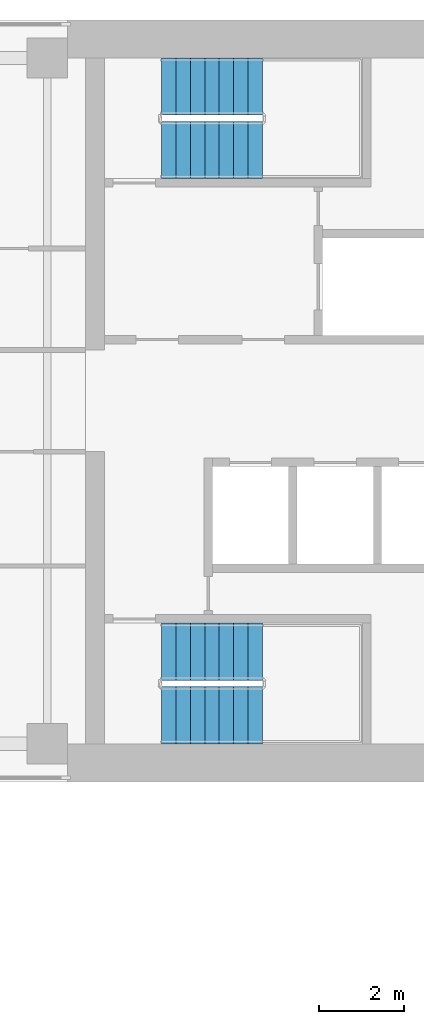
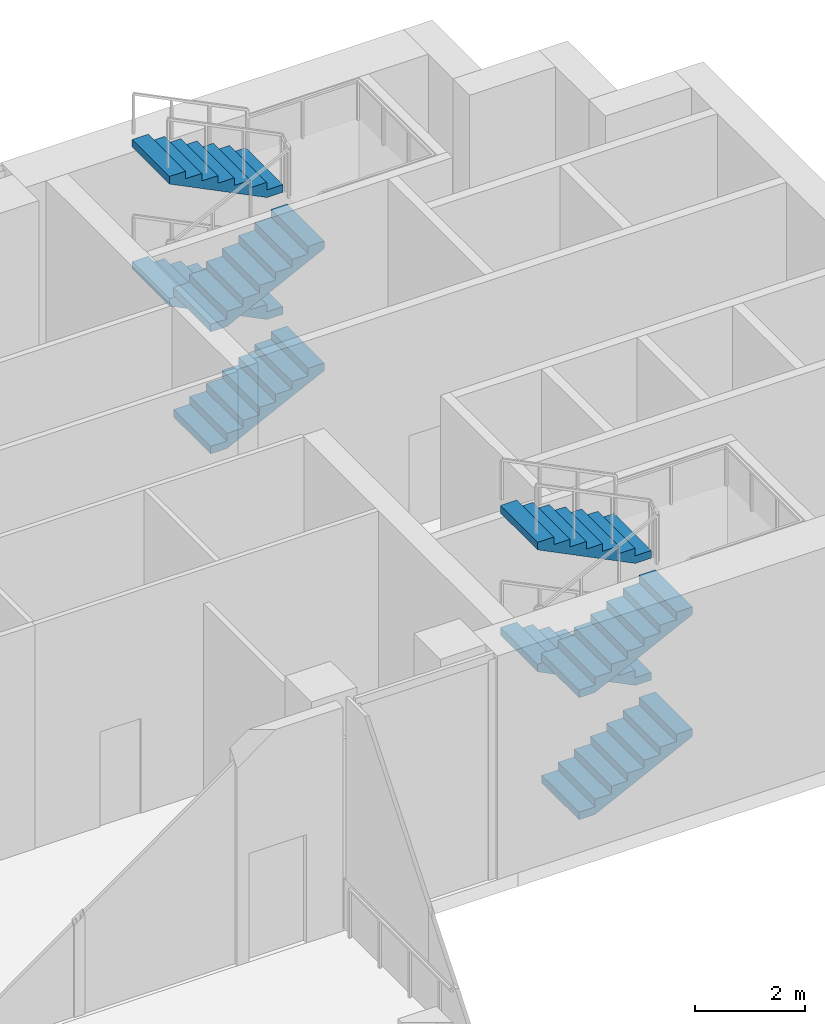
# One storey, part 9 of 12: 8 stair flights, 2 elements without a shape of their own.
"""IFC4 building model written with IfcOpenShell, lengths in metres."""

import ifcopenshell
import ifcopenshell.guid

model = None  # the IFC model being written
_history = None  # IfcOwnerHistory: only IFC2X3 demands one
_inside = {}  # id of a spatial element -> (the spatial element, [elements in it])
_under = {}  # id of a project, library or spatial element -> (it, [spatial elements below it])
_declared = {}  # id of a project -> (the project, [libraries it declares])
_typed = {}  # id of a type object -> (the type object, [elements of that type])
_made_of = {}  # id of a material, layer set ... -> (it, [elements and type objects made of it])


def new_model(schema):
    """Start an empty IFC model of exactly this schema.

    Asked for "IFC4X3", IfcOpenShell would pick the latest addendum, in which some entities
    have other attributes; the version numbers below select the first issue.
    IFC2X3 requires an IfcOwnerHistory on every rooted entity: one is made here for all.
    """
    global model, _history
    if schema == "IFC4X3":
        model = ifcopenshell.file(schema_version=(4, 3, 0, 0))
    else:
        model = ifcopenshell.file(schema=schema)
    _inside.clear()
    _under.clear()
    _declared.clear()
    _typed.clear()
    _made_of.clear()
    _history = None
    if model.schema == "IFC2X3":
        org = make("IfcOrganization", Name="unknown")
        user = make(
            "IfcPersonAndOrganization",
            ThePerson=make("IfcPerson", FamilyName="unknown"),
            TheOrganization=org,
        )
        app = make(
            "IfcApplication",
            ApplicationDeveloper=org,
            Version="unknown",
            ApplicationFullName="unknown",
            ApplicationIdentifier="unknown",
        )
        _history = make(
            "IfcOwnerHistory",
            OwningUser=user,
            OwningApplication=app,
            ChangeAction="ADDED",
            CreationDate=0,
        )
    return model


def make(cls, **values):
    """One entity of the class cls with the attributes given. An attribute that is None is left unset."""
    return model.create_entity(
        cls, **{name: value for name, value in values.items() if value is not None}
    )


def rooted(cls, **values):
    """An entity with a GlobalId (a new one), such as an element, a storey or a relation."""
    return make(cls, GlobalId=ifcopenshell.guid.new(), OwnerHistory=_history, **values)


def si_unit(unit_type, name, prefix=None):
    """IfcSIUnit, for example si_unit("LENGTHUNIT", "METRE", prefix="MILLI")."""
    return make("IfcSIUnit", UnitType=unit_type, Prefix=prefix, Name=name)


def assignment(units):
    """IfcUnitAssignment: the units of a project."""
    return None if units is None else make("IfcUnitAssignment", Units=units)


def point(xyz):
    """IfcCartesianPoint."""
    return None if xyz is None else make("IfcCartesianPoint", Coordinates=xyz)


def direction(xyz):
    """IfcDirection."""
    return None if xyz is None else make("IfcDirection", DirectionRatios=xyz)


def frame(location, z_axis=None, x_axis=None):
    """IfcAxis2Placement3D, a coordinate frame: its origin and axes. An axis left out is left unset."""
    return make(
        "IfcAxis2Placement3D",
        Location=point(location),
        Axis=direction(z_axis),
        RefDirection=direction(x_axis),
    )


def origin():
    """The frame at (0, 0, 0) with its axes left unset."""
    return frame((0.0, 0.0, 0.0))


def place(relative_to, where):
    """IfcLocalPlacement: puts the frame where relative to a parent placement (None: the world)."""
    return make(
        "IfcLocalPlacement", PlacementRelTo=relative_to, RelativePlacement=where
    )


def context(
    kind, dimensions, precision=None, world=None, true_north=None, identifier=None
):
    """IfcGeometricRepresentationContext, for example the 3D "Model" context."""
    return make(
        "IfcGeometricRepresentationContext",
        ContextIdentifier=identifier,
        ContextType=kind,
        CoordinateSpaceDimension=dimensions,
        Precision=precision,
        WorldCoordinateSystem=world,
        TrueNorth=true_north,
    )


def subcontext(parent, identifier, kind, view, scale=None):
    """IfcGeometricRepresentationSubContext, for example "Body" below "Model"."""
    return make(
        "IfcGeometricRepresentationSubContext",
        ContextIdentifier=identifier,
        ContextType=kind,
        ParentContext=parent,
        TargetScale=scale,
        TargetView=view,
    )


def project(units=None, contexts=None):
    """IfcProject with its units and contexts."""
    return rooted(
        "IfcProject",
        Name="project",
        RepresentationContexts=contexts,
        UnitsInContext=assignment(units),
    )


def spatial(cls, under=None, at=None, **own):
    """A site, building, storey or space (cls), placed at a placement, below another one or the project."""
    s = rooted(cls, ObjectPlacement=at, **own)
    if under is not None:
        _under.setdefault(under.id(), (under, []))[1].append(s)
    return s


def polyline(points):
    """IfcPolyline through the points."""
    return make("IfcPolyline", Points=[point(p) for p in points])


def outline(outer, holes=None, kind="AREA"):
    """IfcArbitraryClosedProfileDef: a profile drawn as a closed curve; with holes, ...WithVoids."""
    if holes is None:
        return make("IfcArbitraryClosedProfileDef", ProfileType=kind, OuterCurve=outer)
    return make(
        "IfcArbitraryProfileDefWithVoids",
        ProfileType=kind,
        OuterCurve=outer,
        InnerCurves=holes,
    )


def extrude(swept, where, along, depth):
    """IfcExtrudedAreaSolid: the profile swept, set in the frame where, extruded along a direction by depth."""
    return make(
        "IfcExtrudedAreaSolid",
        SweptArea=swept,
        Position=where,
        ExtrudedDirection=direction(along),
        Depth=depth,
    )


def shape(context_of_items, identifier, shape_type, items):
    """IfcShapeRepresentation: the items that make up one representation, for example the "Body"."""
    return make(
        "IfcShapeRepresentation",
        ContextOfItems=context_of_items,
        RepresentationIdentifier=identifier,
        RepresentationType=shape_type,
        Items=items,
    )


def material(Name=None, Category=None):
    """IfcMaterial."""
    return make("IfcMaterial", Name=Name, Category=Category)


def made_of(thing, what):
    """Note that an element or type object is made of a material, layer set ...; save() writes the relation."""
    if what is not None:
        _made_of.setdefault(what.id(), (what, []))[1].append(thing)
    return thing


def type_object(cls, material=None, **own):
    """A type object (cls), such as IfcWallType, which elements share."""
    return made_of(rooted(cls, **own), material)


def element(
    cls,
    number,
    at=None,
    inside=None,
    cuts=None,
    type_object=None,
    material=None,
    context=None,
    identifier="Body",
    shape_type=None,
    held_by="IfcProductDefinitionShape",
    body=None,
    shapes=None,
    **own,
):
    """One element of the class cls, such as IfcWall. Its Tag is "e" and its number.

    at: its placement. inside: the storey or other place that contains it. cuts: it is an
    opening in that element (IfcRelVoidsElement). A single representation is given by context,
    identifier, shape_type and body (its items); several are given by shapes. held_by: the class
    of the entity that holds the representations. save() writes the other relations.
    """
    e = rooted(cls, Tag="e%d" % number, ObjectPlacement=at, **own)
    if body is not None:
        shapes = [shape(context, identifier, shape_type, body)]
    if shapes is not None:
        e.Representation = make(held_by, Representations=shapes)
    if inside is not None:
        _inside.setdefault(inside.id(), (inside, []))[1].append(e)
    if cuts is not None:
        rooted(
            "IfcRelVoidsElement", RelatingBuildingElement=cuts, RelatedOpeningElement=e
        )
    if type_object is not None:
        _typed.setdefault(type_object.id(), (type_object, []))[1].append(e)
    return made_of(e, material)


def aggregate(whole, parts):
    """IfcRelAggregates: a whole, such as a stair, and the parts it consists of."""
    return rooted("IfcRelAggregates", RelatingObject=whole, RelatedObjects=parts)


def save(model, path):
    """Write the relations noted so far, then the file.

    IfcRelAggregates (storeys below a building ...), IfcRelContainedInSpatialStructure (elements
    in a storey), IfcRelDefinesByType, IfcRelAssociatesMaterial and IfcRelDeclares: one each for
    every whole, place, type object, material and project.
    """
    for whole, parts in _under.values():
        aggregate(whole, parts)
    for where, things in _inside.values():
        rooted(
            "IfcRelContainedInSpatialStructure",
            RelatedElements=things,
            RelatingStructure=where,
        )
    for kind, things in _typed.values():
        rooted("IfcRelDefinesByType", RelatedObjects=things, RelatingType=kind)
    for what, things in _made_of.values():
        rooted("IfcRelAssociatesMaterial", RelatedObjects=things, RelatingMaterial=what)
    for by, libraries in _declared.values():
        rooted("IfcRelDeclares", RelatingContext=by, RelatedDefinitions=libraries)
    model.write(path)


model = new_model("IFC4")

# Units and contexts
model_context = context("Model", 3, precision=1e-05, world=origin(), true_north=direction((0.0, 1.0)))
body_context = subcontext(model_context, "Body", "Model", "MODEL_VIEW")
ifc_project = project(units=[si_unit("LENGTHUNIT", "METRE"), si_unit("AREAUNIT", "SQUARE_METRE"), si_unit("VOLUMEUNIT", "CUBIC_METRE"), si_unit("PLANEANGLEUNIT", "RADIAN"), si_unit("MASSUNIT", "GRAM", prefix="KILO")], contexts=[model_context])

# Site, building, storey
site_placement = place(None, origin())
site = spatial("IfcSite", under=ifc_project, at=site_placement, CompositionType="ELEMENT")
building_placement = place(site_placement, origin())
building = spatial("IfcBuilding", under=site, at=building_placement, Name="Perihelion Cross Residences", CompositionType="ELEMENT")
storey_placement = place(building_placement, frame((0.0, 0.0, 222.60009765625)))
storey = spatial("IfcBuildingStorey", under=building, at=storey_placement, Name="L56", CompositionType="ELEMENT", Elevation=222.60009765625)

# Stair, stair flights
ifc_material_1 = material(Name="Concrete C40/50", Category="concrete")
stair_type = type_object("IfcStairType", Name="Exit stair, half-turn", PredefinedType="HALF_TURN_STAIR", material=ifc_material_1)
stair_1_placement = place(storey_placement, origin())
stair_1 = element("IfcStair", 1, at=stair_1_placement, inside=storey, type_object=stair_type, Name="L56 East core exit stair 1", PredefinedType="HALF_TURN_STAIR")
ifc_material_2 = material(Name="Concrete C40/50", Category="concrete")
stair_flight_type = type_object("IfcStairFlightType", Name="Exit stair flight", PredefinedType="STRAIGHT", material=ifc_material_2)
stair_flight_1_placement = place(storey_placement, frame((23.39990234375, 5.925048828125, 0.0), z_axis=(0.0, 0.0, 1.0), x_axis=(1.0, 0.0, 0.0)))
stair_flight_1 = element("IfcStairFlight", 2, at=stair_flight_1_placement, type_object=stair_flight_type, Name="ST-E1 flight 1", NumberOfRisers=8, NumberOfTreads=7, PredefinedType="STRAIGHT", RiserHeight=0.16875, TreadLength=0.34, context=body_context, shape_type="SweptSolid", body=[
    extrude(outline(polyline([(0.0, 0.0), (0.0, 0.168701171875), (0.340087890625, 0.168701171875), (0.340087890625, 0.33740234375), (0.679931640625, 0.33740234375), (0.679931640625, 0.50634765625), (1.02001953125, 0.50634765625), (1.02001953125, 0.675048828125), (1.360107421875, 0.675048828125), (1.360107421875, 0.84375), (1.699951171875, 0.84375), (1.699951171875, 1.012451171875), (2.0400390625, 1.012451171875), (2.0400390625, 1.18115234375), (2.3798828125, 1.18115234375), (2.3798828125, 1.35009765625), (2.3798828125, 1.013916015625), (0.337158203125, 0.0), (0.0, 0.0)])), frame((0.0, 0.675048828125, 0.0), z_axis=(0.0, -1.0, 0.0), x_axis=(1.0, 0.0, 0.0)), (0.0, 0.0, 1.0), 1.35009765625),
])
stair_flight_2_placement = place(storey_placement, frame((25.780029296875, 7.425048828125, 1.349853515625), z_axis=(0.0, 0.0, 1.0), x_axis=(-1.0, 0.0, 0.0)))
stair_flight_2 = element("IfcStairFlight", 3, at=stair_flight_2_placement, type_object=stair_flight_type, Name="ST-E1 flight 2", NumberOfRisers=8, NumberOfTreads=7, PredefinedType="STRAIGHT", RiserHeight=0.16875, TreadLength=0.34, context=body_context, shape_type="SweptSolid", body=[
    extrude(outline(polyline([(0.0, 0.0), (0.0, 0.168701171875), (0.340087890625, 0.168701171875), (0.340087890625, 0.33740234375), (0.679931640625, 0.33740234375), (0.679931640625, 0.50634765625), (1.02001953125, 0.50634765625), (1.02001953125, 0.675048828125), (1.360107421875, 0.675048828125), (1.360107421875, 0.84375), (1.699951171875, 0.84375), (1.699951171875, 1.012451171875), (2.0400390625, 1.012451171875), (2.0400390625, 1.18115234375), (2.3798828125, 1.18115234375), (2.3798828125, 1.35009765625), (2.3798828125, 1.013916015625), (0.337158203125, 0.0), (0.0, 0.0)])), frame((0.0, 0.675048828125, 0.0), z_axis=(0.0, -1.0, 0.0), x_axis=(1.0, 0.0, 0.0)), (0.0, 0.0, 1.0), 1.35009765625),
])
stair_flight_3_placement = place(storey_placement, frame((23.39990234375, 5.925048828125, 2.699951171875), z_axis=(0.0, 0.0, 1.0), x_axis=(1.0, 0.0, 0.0)))
stair_flight_3 = element("IfcStairFlight", 4, at=stair_flight_3_placement, type_object=stair_flight_type, Name="ST-E1 flight 3", NumberOfRisers=8, NumberOfTreads=7, PredefinedType="STRAIGHT", RiserHeight=0.16875, TreadLength=0.34, context=body_context, shape_type="SweptSolid", body=[
    extrude(outline(polyline([(0.0, 0.0), (0.0, 0.168701171875), (0.340087890625, 0.168701171875), (0.340087890625, 0.33740234375), (0.679931640625, 0.33740234375), (0.679931640625, 0.50634765625), (1.02001953125, 0.50634765625), (1.02001953125, 0.675048828125), (1.360107421875, 0.675048828125), (1.360107421875, 0.84375), (1.699951171875, 0.84375), (1.699951171875, 1.012451171875), (2.0400390625, 1.012451171875), (2.0400390625, 1.18115234375), (2.3798828125, 1.18115234375), (2.3798828125, 1.35009765625), (2.3798828125, 1.013916015625), (0.337158203125, 0.0), (0.0, 0.0)])), frame((0.0, 0.675048828125, 0.0), z_axis=(0.0, -1.0, 0.0), x_axis=(1.0, 0.0, 0.0)), (0.0, 0.0, 1.0), 1.35009765625),
])
stair_flight_4_placement = place(storey_placement, frame((25.780029296875, 7.425048828125, 4.0498046875), z_axis=(0.0, 0.0, 1.0), x_axis=(-1.0, 0.0, 0.0)))
stair_flight_4 = element("IfcStairFlight", 5, at=stair_flight_4_placement, type_object=stair_flight_type, Name="ST-E1 flight 4", NumberOfRisers=8, NumberOfTreads=7, PredefinedType="STRAIGHT", RiserHeight=0.16875, TreadLength=0.34, context=body_context, shape_type="SweptSolid", body=[
    extrude(outline(polyline([(0.0, 0.0), (0.0, 0.168701171875), (0.340087890625, 0.168701171875), (0.340087890625, 0.33740234375), (0.679931640625, 0.33740234375), (0.679931640625, 0.50634765625), (1.02001953125, 0.50634765625), (1.02001953125, 0.675048828125), (1.360107421875, 0.675048828125), (1.360107421875, 0.84375), (1.699951171875, 0.84375), (1.699951171875, 1.012451171875), (2.0400390625, 1.012451171875), (2.0400390625, 1.18115234375), (2.3798828125, 1.18115234375), (2.3798828125, 1.35009765625), (2.3798828125, 1.013916015625), (0.337158203125, 0.0), (0.0, 0.0)])), frame((0.0, 0.675048828125, 0.0), z_axis=(0.0, -1.0, 0.0), x_axis=(1.0, 0.0, 0.0)), (0.0, 0.0, 1.0), 1.35009765625),
])
aggregate(stair_1, [stair_flight_1, stair_flight_2, stair_flight_3, stair_flight_4])

stair_2_placement = place(storey_placement, origin())
stair_2 = element("IfcStair", 6, at=stair_2_placement, inside=storey, type_object=stair_type, Name="L56 East core exit stair 2", PredefinedType="HALF_TURN_STAIR")
stair_flight_5_placement = place(storey_placement, frame((23.39990234375, -7.425048828125, 0.0), z_axis=(0.0, 0.0, 1.0), x_axis=(1.0, 0.0, 0.0)))
stair_flight_5 = element("IfcStairFlight", 7, at=stair_flight_5_placement, type_object=stair_flight_type, Name="ST-E2 flight 1", NumberOfRisers=8, NumberOfTreads=7, PredefinedType="STRAIGHT", RiserHeight=0.16875, TreadLength=0.34, context=body_context, shape_type="SweptSolid", body=[
    extrude(outline(polyline([(0.0, 0.0), (0.0, 0.168701171875), (0.340087890625, 0.168701171875), (0.340087890625, 0.33740234375), (0.679931640625, 0.33740234375), (0.679931640625, 0.50634765625), (1.02001953125, 0.50634765625), (1.02001953125, 0.675048828125), (1.360107421875, 0.675048828125), (1.360107421875, 0.84375), (1.699951171875, 0.84375), (1.699951171875, 1.012451171875), (2.0400390625, 1.012451171875), (2.0400390625, 1.18115234375), (2.3798828125, 1.18115234375), (2.3798828125, 1.35009765625), (2.3798828125, 1.013916015625), (0.337158203125, 0.0), (0.0, 0.0)])), frame((0.0, 0.675048828125, 0.0), z_axis=(0.0, -1.0, 0.0), x_axis=(1.0, 0.0, 0.0)), (0.0, 0.0, 1.0), 1.35009765625),
])
stair_flight_6_placement = place(storey_placement, frame((25.780029296875, -5.925048828125, 1.349853515625), z_axis=(0.0, 0.0, 1.0), x_axis=(-1.0, 0.0, 0.0)))
stair_flight_6 = element("IfcStairFlight", 8, at=stair_flight_6_placement, type_object=stair_flight_type, Name="ST-E2 flight 2", NumberOfRisers=8, NumberOfTreads=7, PredefinedType="STRAIGHT", RiserHeight=0.16875, TreadLength=0.34, context=body_context, shape_type="SweptSolid", body=[
    extrude(outline(polyline([(0.0, 0.0), (0.0, 0.168701171875), (0.340087890625, 0.168701171875), (0.340087890625, 0.33740234375), (0.679931640625, 0.33740234375), (0.679931640625, 0.50634765625), (1.02001953125, 0.50634765625), (1.02001953125, 0.675048828125), (1.360107421875, 0.675048828125), (1.360107421875, 0.84375), (1.699951171875, 0.84375), (1.699951171875, 1.012451171875), (2.0400390625, 1.012451171875), (2.0400390625, 1.18115234375), (2.3798828125, 1.18115234375), (2.3798828125, 1.35009765625), (2.3798828125, 1.013916015625), (0.337158203125, 0.0), (0.0, 0.0)])), frame((0.0, 0.675048828125, 0.0), z_axis=(0.0, -1.0, 0.0), x_axis=(1.0, 0.0, 0.0)), (0.0, 0.0, 1.0), 1.35009765625),
])
stair_flight_7_placement = place(storey_placement, frame((23.39990234375, -7.425048828125, 2.699951171875), z_axis=(0.0, 0.0, 1.0), x_axis=(1.0, 0.0, 0.0)))
stair_flight_7 = element("IfcStairFlight", 9, at=stair_flight_7_placement, type_object=stair_flight_type, Name="ST-E2 flight 3", NumberOfRisers=8, NumberOfTreads=7, PredefinedType="STRAIGHT", RiserHeight=0.16875, TreadLength=0.34, context=body_context, shape_type="SweptSolid", body=[
    extrude(outline(polyline([(0.0, 0.0), (0.0, 0.168701171875), (0.340087890625, 0.168701171875), (0.340087890625, 0.33740234375), (0.679931640625, 0.33740234375), (0.679931640625, 0.50634765625), (1.02001953125, 0.50634765625), (1.02001953125, 0.675048828125), (1.360107421875, 0.675048828125), (1.360107421875, 0.84375), (1.699951171875, 0.84375), (1.699951171875, 1.012451171875), (2.0400390625, 1.012451171875), (2.0400390625, 1.18115234375), (2.3798828125, 1.18115234375), (2.3798828125, 1.35009765625), (2.3798828125, 1.013916015625), (0.337158203125, 0.0), (0.0, 0.0)])), frame((0.0, 0.675048828125, 0.0), z_axis=(0.0, -1.0, 0.0), x_axis=(1.0, 0.0, 0.0)), (0.0, 0.0, 1.0), 1.35009765625),
])
stair_flight_8_placement = place(storey_placement, frame((25.780029296875, -5.925048828125, 4.0498046875), z_axis=(0.0, 0.0, 1.0), x_axis=(-1.0, 0.0, 0.0)))
stair_flight_8 = element("IfcStairFlight", 10, at=stair_flight_8_placement, type_object=stair_flight_type, Name="ST-E2 flight 4", NumberOfRisers=8, NumberOfTreads=7, PredefinedType="STRAIGHT", RiserHeight=0.16875, TreadLength=0.34, context=body_context, shape_type="SweptSolid", body=[
    extrude(outline(polyline([(0.0, 0.0), (0.0, 0.168701171875), (0.340087890625, 0.168701171875), (0.340087890625, 0.33740234375), (0.679931640625, 0.33740234375), (0.679931640625, 0.50634765625), (1.02001953125, 0.50634765625), (1.02001953125, 0.675048828125), (1.360107421875, 0.675048828125), (1.360107421875, 0.84375), (1.699951171875, 0.84375), (1.699951171875, 1.012451171875), (2.0400390625, 1.012451171875), (2.0400390625, 1.18115234375), (2.3798828125, 1.18115234375), (2.3798828125, 1.35009765625), (2.3798828125, 1.013916015625), (0.337158203125, 0.0), (0.0, 0.0)])), frame((0.0, 0.675048828125, 0.0), z_axis=(0.0, -1.0, 0.0), x_axis=(1.0, 0.0, 0.0)), (0.0, 0.0, 1.0), 1.35009765625),
])
aggregate(stair_2, [stair_flight_5, stair_flight_6, stair_flight_7, stair_flight_8])

save(model, "model.ifc")
